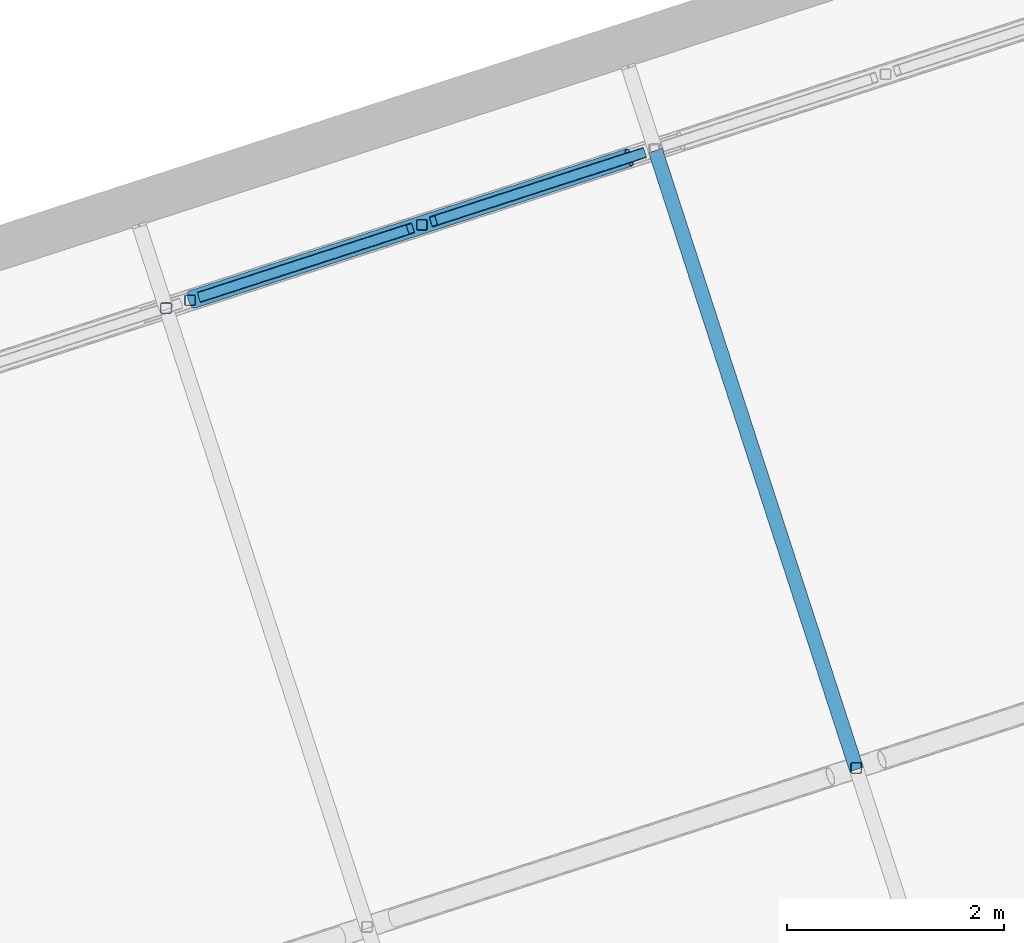
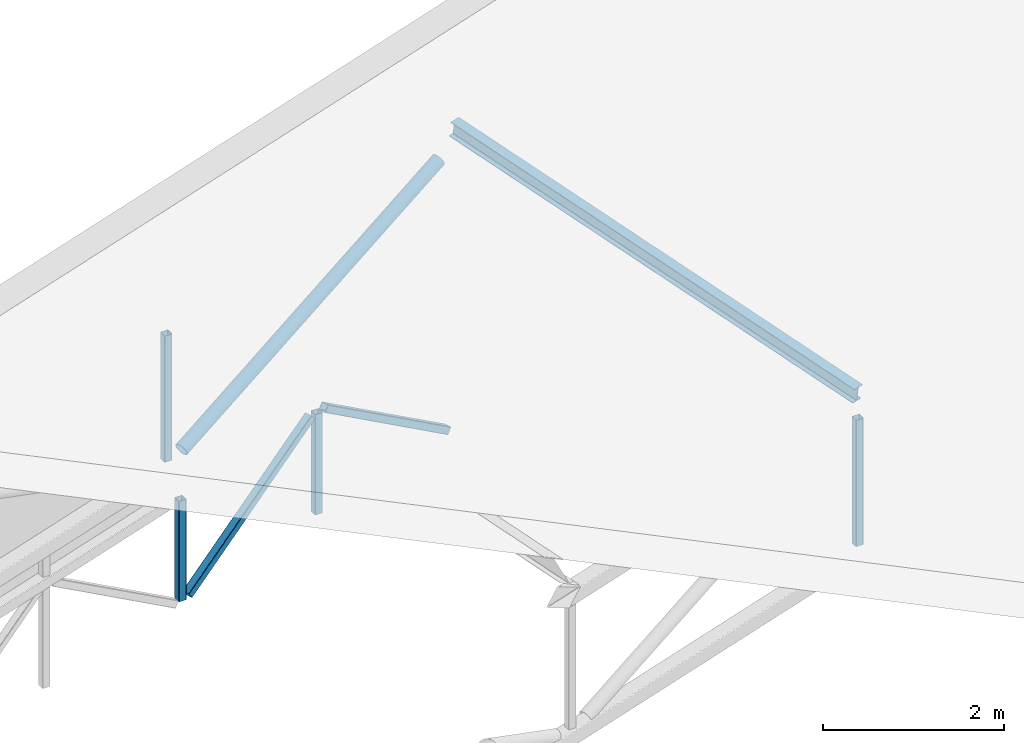
# One storey, part 10 of 55: 8 members.
"""IFC4 building model written with IfcOpenShell, lengths in metres."""

from ifc_helpers import new_model, si_unit, direction, frame, origin, origin_2d, place, context, subcontext, project, spatial, hollow_rectangle, hollow_circle, i_section, extrude, material, material_profile, profile_set, type_object, element, save


model = new_model("IFC4")

# Units and contexts
model_context = context("Model", 3, precision=1e-05, world=origin(), true_north=direction((0.0, 1.0)))
body_context = subcontext(model_context, "Body", "Model", "MODEL_VIEW")
ifc_project = project(units=[si_unit("LENGTHUNIT", "METRE"), si_unit("AREAUNIT", "SQUARE_METRE"), si_unit("VOLUMEUNIT", "CUBIC_METRE"), si_unit("PLANEANGLEUNIT", "RADIAN"), si_unit("MASSUNIT", "GRAM", prefix="KILO")], contexts=[model_context])

# Site, building, storey
site_placement = place(None, origin())
site = spatial("IfcSite", under=ifc_project, at=site_placement, CompositionType="ELEMENT")
building_placement = place(site_placement, origin())
building = spatial("IfcBuilding", under=site, at=building_placement, Name="Tuart Plaza Theatre", CompositionType="ELEMENT")
storey_placement = place(building_placement, frame((0.0, 0.0, 21.5)))
storey = spatial("IfcBuildingStorey", under=building, at=storey_placement, Name="L05", CompositionType="ELEMENT", Elevation=21.5)

# Members
ifc_material_1 = material(Name="Steel Grade C350L0", Category="steel")
ifc_material_profile_1 = material_profile(ifc_material_1, hollow_rectangle(XDim=0.10009765625, YDim=0.10009765625, WallThickness=0.006103515625, InnerFilletRadius=0.006103515625, OuterFilletRadius=0.011962890625, at=origin_2d()), Name="100x100x6 SHS")
ifc_profile_set_1 = profile_set([ifc_material_profile_1], Name="Steel Grade C350L0")
member_type_1 = type_object("IfcMemberType", Name="MEMBER Brace 100x100x6 SHS", PredefinedType="BRACE", material=ifc_profile_set_1)
for number, where, z_axis, x_axis, name in (
    (1, (51.26611328125, 70.80078125, -0.524169921875), (0.791072972357, 0.257066093415, 0.555086097847), (-0.309050599318, 0.951045596731, 0.0), "BR147"),
    (2, (53.404052734375, 71.49560546875, 0.825927734375), (0.791093381678, 0.256972345781, -0.555100418815), (-0.308941443477, 0.951081060953, 0.0), "BR148"),
):
    element("IfcMember", number, at=place(storey_placement, frame(where, z_axis=z_axis, x_axis=x_axis)), inside=storey, type_object=member_type_1, Name=name, PredefinedType="BRACE", context=body_context, shape_type="SweptSolid", body=[
        extrude(hollow_rectangle(XDim=0.10009765625, YDim=0.10009765625, WallThickness=0.006103515625, InnerFilletRadius=0.006103515625, OuterFilletRadius=0.011962890625, at=origin_2d()), origin(), (0.0, 0.0, 1.0), 2.43212890625),
    ])
ifc_material_2 = material(Name="Steel Grade C350L0", Category="steel")
ifc_material_profile_2 = material_profile(ifc_material_2, hollow_circle(Radius=0.084228515625, WallThickness=0.00634765625, at=origin_2d()), Name="168.3x6.4 CHS")
ifc_profile_set_2 = profile_set([ifc_material_profile_2], Name="Steel Grade C350L0")
member_type_2 = type_object("IfcMemberType", Name="MEMBER Brace 168.3x6.4 CHS", PredefinedType="BRACE", material=ifc_profile_set_2)
member_1_placement = place(storey_placement, frame((51.174560546875, 70.771240234375, 1.475830078125), z_axis=(0.882805299901, 0.28684361714, 0.371988631241), x_axis=(-0.309019710385, 0.951055633806, 0.0)))
element("IfcMember", 3, at=member_1_placement, inside=storey, type_object=member_type_2, Name="BR27", PredefinedType="BRACE", context=body_context, shape_type="SweptSolid", body=[
    extrude(hollow_circle(Radius=0.084228515625, WallThickness=0.00634765625, at=origin_2d()), origin(), (0.0, 0.0, 1.0), 4.570556640625),
])
ifc_material_3 = material(Name="Steel Grade C350L0", Category="steel")
ifc_material_profile_3 = material_profile(ifc_material_3, hollow_rectangle(XDim=0.10009765625, YDim=0.10009765625, WallThickness=0.006103515625, InnerFilletRadius=0.006103515625, OuterFilletRadius=0.011962890625, at=origin_2d()), Name="100x100x6 SHS")
ifc_profile_set_3 = profile_set([ifc_material_profile_3], Name="Steel Grade C350L0")
member_type_3 = type_object("IfcMemberType", Name="MEMBER Post 100x100x6 SHS", PredefinedType="POST", material=ifc_profile_set_3)
member_2_placement = place(storey_placement, frame((57.301025390625, 66.452880859375, 0.683837890625), z_axis=(0.0, 0.0, 1.0), x_axis=(1.0, 0.0, 0.0)))
element("IfcMember", 4, at=member_2_placement, inside=storey, type_object=member_type_3, Name="PO25", PredefinedType="POST", context=body_context, shape_type="SweptSolid", body=[
    extrude(hollow_rectangle(XDim=0.10009765625, YDim=0.10009765625, WallThickness=0.006103515625, InnerFilletRadius=0.006103515625, OuterFilletRadius=0.011962890625, at=origin_2d()), origin(), (0.0, 0.0, 1.0), 1.699951171875),
])
member_3_placement = place(storey_placement, frame((50.937255859375, 70.694091796875, 1.475830078125), z_axis=(0.0, 0.0, 1.0), x_axis=(1.0, 0.0, 0.0)))
element("IfcMember", 5, at=member_3_placement, inside=storey, type_object=member_type_3, Name="PO31", PredefinedType="POST", context=body_context, shape_type="SweptSolid", body=[
    extrude(hollow_rectangle(XDim=0.10009765625, YDim=0.10009765625, WallThickness=0.006103515625, InnerFilletRadius=0.006103515625, OuterFilletRadius=0.011962890625, at=origin_2d()), origin(), (0.0, 0.0, 1.0), 1.7001953125),
])
for number, where, z_axis, x_axis, name in (
    (6, (51.1591796875, 70.76611328125, -0.524169921875), (0.0, 0.0, 1.0), (1.0, 0.0, 0.0), "PO191"),
    (7, (53.297119140625, 71.460693359375, -0.524169921875), (0.0, 0.0, 1.0), (1.0, 0.0, 0.0), "PO192"),
):
    element("IfcMember", number, at=place(storey_placement, frame(where, z_axis=z_axis, x_axis=x_axis)), inside=storey, type_object=member_type_3, Name=name, PredefinedType="POST", context=body_context, shape_type="SweptSolid", body=[
        extrude(hollow_rectangle(XDim=0.10009765625, YDim=0.10009765625, WallThickness=0.006103515625, InnerFilletRadius=0.006103515625, OuterFilletRadius=0.011962890625, at=origin_2d()), origin(), (0.0, 0.0, 1.0), 1.35009765625),
    ])
ifc_material_4 = material(Name="Steel Grade 300", Category="steel")
ifc_material_profile_4 = material_profile(ifc_material_4, i_section(OverallWidth=0.133056640625, OverallDepth=0.202880859375, WebThickness=0.005859375, FlangeThickness=0.0078125, FilletRadius=0.0087890625, at=origin_2d()), Name="200UB25.4")
ifc_profile_set_4 = profile_set([ifc_material_profile_4], Name="Steel Grade 300")
member_type_4 = type_object("IfcMemberType", Name="MEMBER Purlin 200UB25.4", PredefinedType="PURLIN", material=ifc_profile_set_4)
member_4_placement = place(storey_placement, frame((57.301025390625, 66.452880859375, 2.699462890625), z_axis=(-0.306383361879, 0.942870087847, 0.130863413553), x_axis=(-0.951048719763, -0.309040988602, 0.0)))
element("IfcMember", 8, at=member_4_placement, inside=storey, type_object=member_type_4, Name="PU23", PredefinedType="PURLIN", context=body_context, shape_type="SweptSolid", body=[
    extrude(i_section(OverallWidth=0.133056640625, OverallDepth=0.202880859375, WebThickness=0.005859375, FlangeThickness=0.0078125, FilletRadius=0.0087890625, at=origin_2d()), origin(), (0.0, 0.0, 1.0), 6.052001953125),
])

save(model, "model.ifc")
